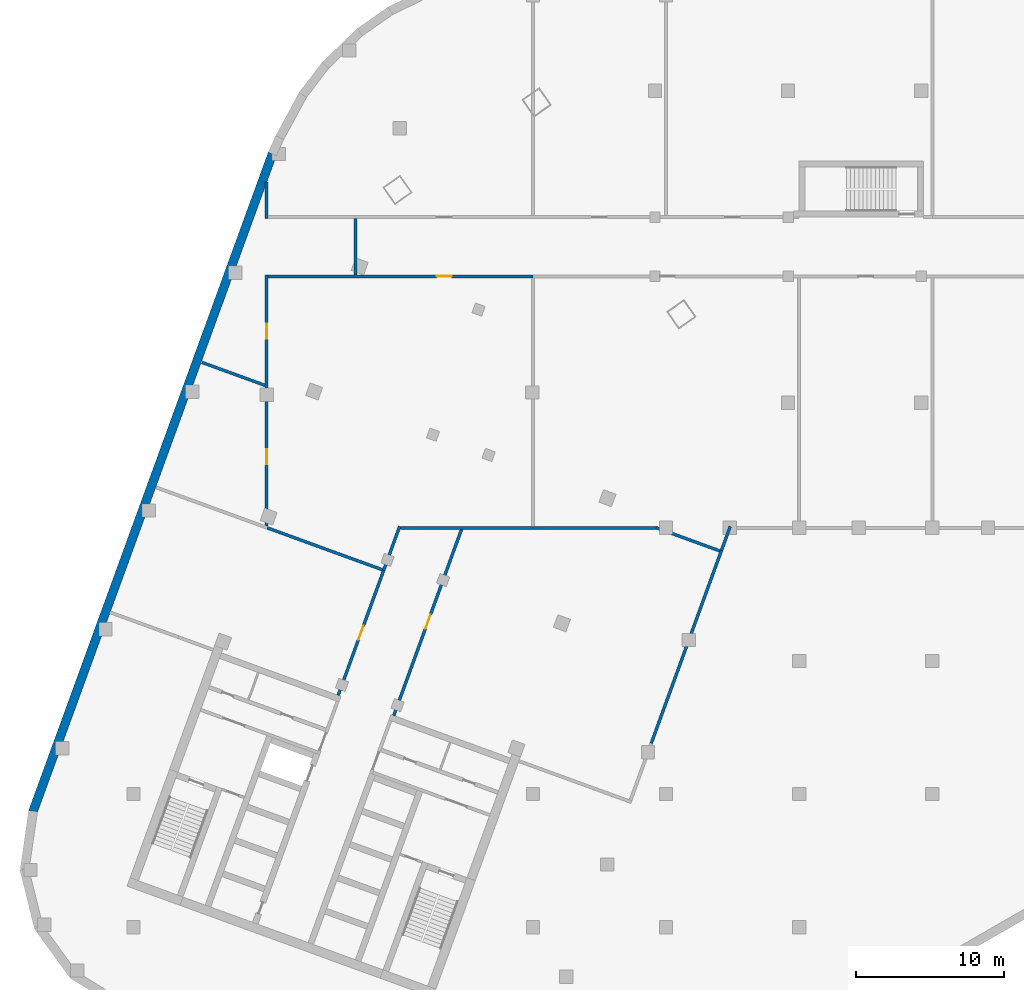
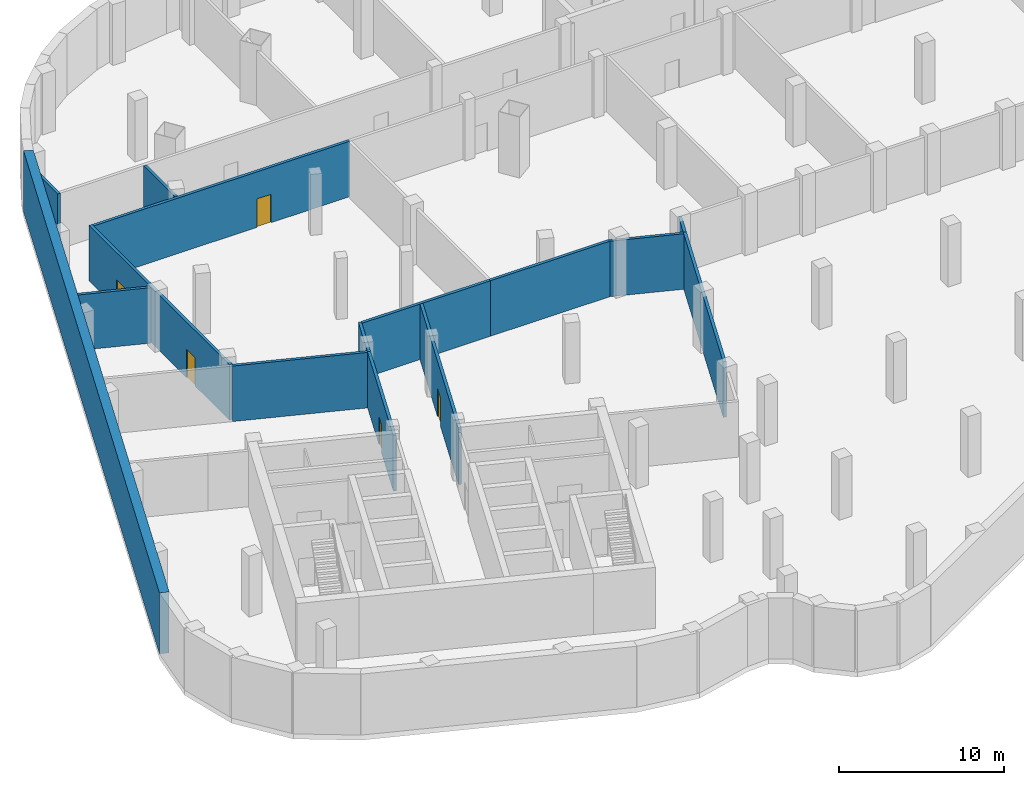
# One storey, part 4 of 16: 15 walls, 5 doors, 5 openings.
"""IFC4 building model written with IfcOpenShell, lengths in metres."""

import ifcopenshell
import ifcopenshell.guid

model = None  # the IFC model being written
_history = None  # IfcOwnerHistory: only IFC2X3 demands one
_inside = {}  # id of a spatial element -> (the spatial element, [elements in it])
_under = {}  # id of a project, library or spatial element -> (it, [spatial elements below it])
_declared = {}  # id of a project -> (the project, [libraries it declares])
_typed = {}  # id of a type object -> (the type object, [elements of that type])
_made_of = {}  # id of a material, layer set ... -> (it, [elements and type objects made of it])


def new_model(schema):
    """Start an empty IFC model of exactly this schema.

    Asked for "IFC4X3", IfcOpenShell would pick the latest addendum, in which some entities
    have other attributes; the version numbers below select the first issue.
    IFC2X3 requires an IfcOwnerHistory on every rooted entity: one is made here for all.
    """
    global model, _history
    if schema == "IFC4X3":
        model = ifcopenshell.file(schema_version=(4, 3, 0, 0))
    else:
        model = ifcopenshell.file(schema=schema)
    _inside.clear()
    _under.clear()
    _declared.clear()
    _typed.clear()
    _made_of.clear()
    _history = None
    if model.schema == "IFC2X3":
        org = make("IfcOrganization", Name="unknown")
        user = make(
            "IfcPersonAndOrganization",
            ThePerson=make("IfcPerson", FamilyName="unknown"),
            TheOrganization=org,
        )
        app = make(
            "IfcApplication",
            ApplicationDeveloper=org,
            Version="unknown",
            ApplicationFullName="unknown",
            ApplicationIdentifier="unknown",
        )
        _history = make(
            "IfcOwnerHistory",
            OwningUser=user,
            OwningApplication=app,
            ChangeAction="ADDED",
            CreationDate=0,
        )
    return model


def make(cls, **values):
    """One entity of the class cls with the attributes given. An attribute that is None is left unset."""
    return model.create_entity(
        cls, **{name: value for name, value in values.items() if value is not None}
    )


def rooted(cls, **values):
    """An entity with a GlobalId (a new one), such as an element, a storey or a relation."""
    return make(cls, GlobalId=ifcopenshell.guid.new(), OwnerHistory=_history, **values)


def si_unit(unit_type, name, prefix=None):
    """IfcSIUnit, for example si_unit("LENGTHUNIT", "METRE", prefix="MILLI")."""
    return make("IfcSIUnit", UnitType=unit_type, Prefix=prefix, Name=name)


def assignment(units):
    """IfcUnitAssignment: the units of a project."""
    return None if units is None else make("IfcUnitAssignment", Units=units)


def point(xyz):
    """IfcCartesianPoint."""
    return None if xyz is None else make("IfcCartesianPoint", Coordinates=xyz)


def direction(xyz):
    """IfcDirection."""
    return None if xyz is None else make("IfcDirection", DirectionRatios=xyz)


def frame(location, z_axis=None, x_axis=None):
    """IfcAxis2Placement3D, a coordinate frame: its origin and axes. An axis left out is left unset."""
    return make(
        "IfcAxis2Placement3D",
        Location=point(location),
        Axis=direction(z_axis),
        RefDirection=direction(x_axis),
    )


def frame_2d(location, x_axis=None):
    """IfcAxis2Placement2D, a coordinate frame in the plane: its origin and x axis."""
    return make(
        "IfcAxis2Placement2D", Location=point(location), RefDirection=direction(x_axis)
    )


def origin():
    """The frame at (0, 0, 0) with its axes left unset."""
    return frame((0.0, 0.0, 0.0))


def place(relative_to, where):
    """IfcLocalPlacement: puts the frame where relative to a parent placement (None: the world)."""
    return make(
        "IfcLocalPlacement", PlacementRelTo=relative_to, RelativePlacement=where
    )


def context(
    kind, dimensions, precision=None, world=None, true_north=None, identifier=None
):
    """IfcGeometricRepresentationContext, for example the 3D "Model" context."""
    return make(
        "IfcGeometricRepresentationContext",
        ContextIdentifier=identifier,
        ContextType=kind,
        CoordinateSpaceDimension=dimensions,
        Precision=precision,
        WorldCoordinateSystem=world,
        TrueNorth=true_north,
    )


def subcontext(parent, identifier, kind, view, scale=None):
    """IfcGeometricRepresentationSubContext, for example "Body" below "Model"."""
    return make(
        "IfcGeometricRepresentationSubContext",
        ContextIdentifier=identifier,
        ContextType=kind,
        ParentContext=parent,
        TargetScale=scale,
        TargetView=view,
    )


def project(units=None, contexts=None):
    """IfcProject with its units and contexts."""
    return rooted(
        "IfcProject",
        Name="project",
        RepresentationContexts=contexts,
        UnitsInContext=assignment(units),
    )


def spatial(cls, under=None, at=None, **own):
    """A site, building, storey or space (cls), placed at a placement, below another one or the project."""
    s = rooted(cls, ObjectPlacement=at, **own)
    if under is not None:
        _under.setdefault(under.id(), (under, []))[1].append(s)
    return s


def profile(cls, at=None, kind="AREA", **sizes):
    """A parametric profile (cls). Its sizes go by their IFC names, for example OverallWidth=200.0."""
    return make(cls, ProfileType=kind, Position=at, **sizes)


def rectangle(**sizes):
    """IfcRectangleProfileDef."""
    return profile("IfcRectangleProfileDef", **sizes)


def extrude(swept, where, along, depth):
    """IfcExtrudedAreaSolid: the profile swept, set in the frame where, extruded along a direction by depth."""
    return make(
        "IfcExtrudedAreaSolid",
        SweptArea=swept,
        Position=where,
        ExtrudedDirection=direction(along),
        Depth=depth,
    )


def shape(context_of_items, identifier, shape_type, items):
    """IfcShapeRepresentation: the items that make up one representation, for example the "Body"."""
    return make(
        "IfcShapeRepresentation",
        ContextOfItems=context_of_items,
        RepresentationIdentifier=identifier,
        RepresentationType=shape_type,
        Items=items,
    )


def material(Name=None, Category=None):
    """IfcMaterial."""
    return make("IfcMaterial", Name=Name, Category=Category)


def layer(
    of_material, thickness, ventilated=None, Name=None, Category=None, Priority=None
):
    """IfcMaterialLayer: one layer of a wall or slab, of a material (None: an air gap)."""
    return make(
        "IfcMaterialLayer",
        Material=of_material,
        LayerThickness=thickness,
        IsVentilated=ventilated,
        Name=Name,
        Category=Category,
        Priority=Priority,
    )


def layer_set(layers, Name=None):
    """IfcMaterialLayerSet."""
    return make("IfcMaterialLayerSet", MaterialLayers=layers, LayerSetName=Name)


def made_of(thing, what):
    """Note that an element or type object is made of a material, layer set ...; save() writes the relation."""
    if what is not None:
        _made_of.setdefault(what.id(), (what, []))[1].append(thing)
    return thing


def type_object(cls, material=None, **own):
    """A type object (cls), such as IfcWallType, which elements share."""
    return made_of(rooted(cls, **own), material)


def element(
    cls,
    number,
    at=None,
    inside=None,
    cuts=None,
    type_object=None,
    material=None,
    context=None,
    identifier="Body",
    shape_type=None,
    held_by="IfcProductDefinitionShape",
    body=None,
    shapes=None,
    **own,
):
    """One element of the class cls, such as IfcWall. Its Tag is "e" and its number.

    at: its placement. inside: the storey or other place that contains it. cuts: it is an
    opening in that element (IfcRelVoidsElement). A single representation is given by context,
    identifier, shape_type and body (its items); several are given by shapes. held_by: the class
    of the entity that holds the representations. save() writes the other relations.
    """
    e = rooted(cls, Tag="e%d" % number, ObjectPlacement=at, **own)
    if body is not None:
        shapes = [shape(context, identifier, shape_type, body)]
    if shapes is not None:
        e.Representation = make(held_by, Representations=shapes)
    if inside is not None:
        _inside.setdefault(inside.id(), (inside, []))[1].append(e)
    if cuts is not None:
        rooted(
            "IfcRelVoidsElement", RelatingBuildingElement=cuts, RelatedOpeningElement=e
        )
    if type_object is not None:
        _typed.setdefault(type_object.id(), (type_object, []))[1].append(e)
    return made_of(e, material)


def fill(opening, filler):
    """IfcRelFillsElement: the door or window that sits in an opening."""
    return rooted(
        "IfcRelFillsElement",
        RelatingOpeningElement=opening,
        RelatedBuildingElement=filler,
    )


def aggregate(whole, parts):
    """IfcRelAggregates: a whole, such as a stair, and the parts it consists of."""
    return rooted("IfcRelAggregates", RelatingObject=whole, RelatedObjects=parts)


def save(model, path):
    """Write the relations noted so far, then the file.

    IfcRelAggregates (storeys below a building ...), IfcRelContainedInSpatialStructure (elements
    in a storey), IfcRelDefinesByType, IfcRelAssociatesMaterial and IfcRelDeclares: one each for
    every whole, place, type object, material and project.
    """
    for whole, parts in _under.values():
        aggregate(whole, parts)
    for where, things in _inside.values():
        rooted(
            "IfcRelContainedInSpatialStructure",
            RelatedElements=things,
            RelatingStructure=where,
        )
    for kind, things in _typed.values():
        rooted("IfcRelDefinesByType", RelatedObjects=things, RelatingType=kind)
    for what, things in _made_of.values():
        rooted("IfcRelAssociatesMaterial", RelatedObjects=things, RelatingMaterial=what)
    for by, libraries in _declared.values():
        rooted("IfcRelDeclares", RelatingContext=by, RelatedDefinitions=libraries)
    model.write(path)


model = new_model("IFC4")

# Units and contexts
model_context = context("Model", 3, precision=1e-05, world=origin(), true_north=direction((0.0, 1.0)))
body_context = subcontext(model_context, "Body", "Model", "MODEL_VIEW")
ifc_project = project(units=[si_unit("LENGTHUNIT", "METRE"), si_unit("AREAUNIT", "SQUARE_METRE"), si_unit("VOLUMEUNIT", "CUBIC_METRE"), si_unit("PLANEANGLEUNIT", "RADIAN"), si_unit("MASSUNIT", "GRAM", prefix="KILO")], contexts=[model_context])

# Site, building, storey
site_placement = place(None, origin())
site = spatial("IfcSite", under=ifc_project, at=site_placement, CompositionType="ELEMENT")
building_placement = place(site_placement, origin())
building = spatial("IfcBuilding", under=site, at=building_placement, Name="Skarvind Civic Tower", CompositionType="ELEMENT")
storey_placement = place(building_placement, frame((0.0, 0.0, -4.5)))
storey = spatial("IfcBuildingStorey", under=building, at=storey_placement, Name="B1", CompositionType="ELEMENT", Elevation=-4.5)

# Wall
ifc_material_1 = material(Name="Concrete C40", Category="concrete")
ifc_layer_1 = layer(ifc_material_1, 0.60009765625)
ifc_layer_set_1 = layer_set([ifc_layer_1], Name="Basement retaining wall 600 C40")
wall_type_1 = type_object("IfcWallType", Name="Basement retaining wall 600 C40", PredefinedType="SHEAR", material=ifc_layer_set_1)
wall_1_placement = place(storey_placement, frame((12.199462890625, 89.80908203125, 0.0), z_axis=(0.0, 0.0, 1.0), x_axis=(0.342018444468, 0.939693239118, 0.0)))
element("IfcWall", 1, at=wall_1_placement, inside=storey, type_object=wall_type_1, Name="Basement retaining wall B1 14", PredefinedType="SHEAR", context=body_context, shape_type="SweptSolid", body=[
    extrude(rectangle(XDim=47.334228515625, YDim=0.60009765625, at=frame_2d((23.6669921875, 0.0))), origin(), (0.0, 0.0, 1.0), 4.5),
])

# Wall, openings, doors
ifc_material_2 = material(Name="Fire-rated blockwork wall, plastered", Category="masonry")
ifc_layer_2 = layer(ifc_material_2, 0.199951171875)
ifc_layer_set_2 = layer_set([ifc_layer_2], Name="FIRE WALL 200 EI 120")
wall_type_2 = type_object("IfcWallType", Name="FIRE WALL 200 EI 120", PredefinedType="PARTITIONING", material=ifc_layer_set_2)
wall_2_placement = place(storey_placement, frame((28.0, 126.10009765625, 0.0), z_axis=(0.0, 0.0, 1.0), x_axis=(0.0, -1.0, 0.0)))
wall_2 = element("IfcWall", 2, at=wall_2_placement, inside=storey, type_object=wall_type_2, Name="Basement partition B1 005", PredefinedType="PARTITIONING", context=body_context, shape_type="SweptSolid", body=[
    extrude(rectangle(XDim=16.983154296875, YDim=0.199951171875, at=frame_2d((8.49169921875, 0.0))), origin(), (0.0, 0.0, 1.0), 4.10009765625),
])
opening_1_placement = place(wall_2_placement, frame((11.800048828125, 0.0, 0.0)))
opening_1 = element("IfcOpeningElement", 3, at=opening_1_placement, cuts=wall_2, Name="Opening B1-D201", PredefinedType="OPENING", context=body_context, shape_type="SweptSolid", body=[
    extrude(rectangle(XDim=1.0, YDim=2.10009765625, at=frame_2d((0.5, 1.050048828125))), frame((0.0, 0.10986328125, 0.0), z_axis=(0.0, -1.0, 0.0), x_axis=(1.0, 0.0, 0.0)), (0.0, 0.0, 1.0), 0.219970703125),
])
opening_2_placement = place(wall_2_placement, frame((3.306884765625, 0.0, 0.0)))
opening_2 = element("IfcOpeningElement", 4, at=opening_2_placement, cuts=wall_2, Name="Opening B1-D202", PredefinedType="OPENING", context=body_context, shape_type="SweptSolid", body=[
    extrude(rectangle(XDim=1.0, YDim=2.10009765625, at=frame_2d((0.5, 1.050048828125))), frame((0.0, 0.10986328125, 0.0), z_axis=(0.0, -1.0, 0.0), x_axis=(1.0, 0.0, 0.0)), (0.0, 0.0, 1.0), 0.219970703125),
])
ifc_material_3 = material(Name="Painted steel fire door leaf", Category="steel")
door_type = type_object("IfcDoorType", Name="FIRE DOOR 1000X2100 STEEL", OperationType="NOTDEFINED", PredefinedType="DOOR", material=ifc_material_3)
door_1_placement = place(opening_1_placement, origin())
door_1 = element("IfcDoor", 5, at=door_1_placement, inside=storey, type_object=door_type, Name="FIRE DOOR", OperationType="SINGLE_SWING_LEFT", OverallHeight=2.10009765625, OverallWidth=1.0, PredefinedType="DOOR", context=body_context, shape_type="SweptSolid", body=[
    extrude(rectangle(XDim=1.0, YDim=2.10009765625, at=frame_2d((0.5, 1.050048828125))), frame((0.0, 0.02490234375, 0.0), z_axis=(0.0, -1.0, 0.0), x_axis=(1.0, 0.0, 0.0)), (0.0, 0.0, 1.0), 0.050048828125),
])
fill(opening_1, door_1)
door_2_placement = place(opening_2_placement, origin())
door_2 = element("IfcDoor", 6, at=door_2_placement, inside=storey, type_object=door_type, Name="FIRE DOOR", OperationType="SINGLE_SWING_RIGHT", OverallHeight=2.10009765625, OverallWidth=1.0, PredefinedType="DOOR", context=body_context, shape_type="SweptSolid", body=[
    extrude(rectangle(XDim=1.0, YDim=2.10009765625, at=frame_2d((0.5, 1.050048828125))), frame((0.0, 0.02490234375, 0.0), z_axis=(0.0, -1.0, 0.0), x_axis=(1.0, 0.0, 0.0)), (0.0, 0.0, 1.0), 0.050048828125),
])
fill(opening_2, door_2)

# Wall, opening, door
wall_3_placement = place(storey_placement, frame((46.0, 126.0, 0.0), z_axis=(0.0, 0.0, 1.0), x_axis=(-1.0, 0.0, 0.0)))
wall_3 = element("IfcWall", 7, at=wall_3_placement, inside=storey, type_object=wall_type_2, Name="Basement partition B1 006", PredefinedType="PARTITIONING", context=body_context, shape_type="SweptSolid", body=[
    extrude(rectangle(XDim=17.89990234375, YDim=0.199951171875, at=frame_2d((8.949951171875, 0.0))), origin(), (0.0, 0.0, 1.0), 4.10009765625),
])
opening_3_placement = place(wall_3_placement, frame((5.498046875, 0.0, 0.0)))
opening_3 = element("IfcOpeningElement", 8, at=opening_3_placement, cuts=wall_3, Name="Opening B1-D205", PredefinedType="OPENING", context=body_context, shape_type="SweptSolid", body=[
    extrude(rectangle(XDim=1.0, YDim=2.10009765625, at=frame_2d((0.5, 1.050048828125))), frame((0.0, 0.10986328125, 0.0), z_axis=(0.0, -1.0, 0.0), x_axis=(1.0, 0.0, 0.0)), (0.0, 0.0, 1.0), 0.219970703125),
])
door_3_placement = place(opening_3_placement, origin())
door_3 = element("IfcDoor", 9, at=door_3_placement, inside=storey, type_object=door_type, Name="FIRE DOOR", OperationType="SINGLE_SWING_RIGHT", OverallHeight=2.10009765625, OverallWidth=1.0, PredefinedType="DOOR", context=body_context, shape_type="SweptSolid", body=[
    extrude(rectangle(XDim=1.0, YDim=2.10009765625, at=frame_2d((0.5, 1.050048828125))), frame((0.0, 0.02490234375, 0.0), z_axis=(0.0, -1.0, 0.0), x_axis=(1.0, 0.0, 0.0)), (0.0, 0.0, 1.0), 0.050048828125),
])
fill(opening_3, door_3)

# Walls
wall_4_placement = place(storey_placement, frame((28.031005859375, 109.0, 0.0), z_axis=(0.0, 0.0, 1.0), x_axis=(0.939666055337, -0.342093122479, 0.0)))
element("IfcWall", 10, at=wall_4_placement, inside=storey, type_object=wall_type_2, Name="Basement partition B1 009", PredefinedType="PARTITIONING", context=body_context, shape_type="SweptSolid", body=[
    extrude(rectangle(XDim=8.287109375, YDim=0.199951171875, at=frame_2d((4.1435546875, 0.0))), origin(), (0.0, 0.0, 1.0), 4.10009765625),
])
wall_5_placement = place(storey_placement, frame((35.910888671875, 106.126953125, 0.0), z_axis=(0.0, 0.0, 1.0), x_axis=(0.341792733582, 0.939775360004, 0.0)))
element("IfcWall", 11, at=wall_5_placement, inside=storey, type_object=wall_type_2, Name="Basement partition B1 012", PredefinedType="PARTITIONING", context=body_context, shape_type="SweptSolid", body=[
    extrude(rectangle(XDim=3.1572265625, YDim=0.199951171875, at=frame_2d((1.57861328125, 0.0))), origin(), (0.0, 0.0, 1.0), 4.10009765625),
])
wall_6_placement = place(storey_placement, frame((37.06201171875, 109.0, 0.0), z_axis=(0.0, 0.0, 1.0), x_axis=(1.0, 0.0, 0.0)))
element("IfcWall", 12, at=wall_6_placement, inside=storey, type_object=wall_type_2, Name="Basement partition B1 014", PredefinedType="PARTITIONING", context=body_context, shape_type="SweptSolid", body=[
    extrude(rectangle(XDim=8.93798828125, YDim=0.199951171875, at=frame_2d((4.468994140625, 0.0))), origin(), (0.0, 0.0, 1.0), 4.10009765625),
])
ifc_layer_3 = layer(ifc_material_2, 0.199951171875)
ifc_layer_set_3 = layer_set([ifc_layer_3], Name="FIRE WALL 200 EI 60")
wall_type_3 = type_object("IfcWallType", Name="FIRE WALL 200 EI 60", PredefinedType="PARTITIONING", material=ifc_layer_set_3)
wall_7_placement = place(storey_placement, frame((23.6259765625, 120.180908203125, 0.0), z_axis=(0.0, 0.0, 1.0), x_axis=(0.939669552092, -0.342083517393, 0.0)))
element("IfcWall", 13, at=wall_7_placement, inside=storey, type_object=wall_type_3, Name="Basement partition B1 004", PredefinedType="PARTITIONING", context=body_context, shape_type="SweptSolid", body=[
    extrude(rectangle(XDim=4.54833984375, YDim=0.199951171875, at=frame_2d((2.274169921875, 0.0))), origin(), (0.0, 0.0, 1.0), 4.10009765625),
])
wall_8_placement = place(storey_placement, frame((28.0, 129.89990234375, 0.0), z_axis=(0.0, 0.0, 1.0), x_axis=(0.0, 1.0, 0.0)))
element("IfcWall", 14, at=wall_8_placement, inside=storey, type_object=wall_type_3, Name="Basement partition B1 007", PredefinedType="PARTITIONING", context=body_context, shape_type="SweptSolid", body=[
    extrude(rectangle(XDim=2.463134765625, YDim=0.199951171875, at=frame_2d((1.2314453125, 0.0))), origin(), (0.0, 0.0, 1.0), 4.10009765625),
])

# Wall, opening, door
wall_9_placement = place(storey_placement, frame((32.833984375, 97.674072265625, 0.0), z_axis=(0.0, 0.0, 1.0), x_axis=(0.3420218461, 0.939692001025, 0.0)))
wall_9 = element("IfcWall", 15, at=wall_9_placement, inside=storey, type_object=wall_type_3, Name="Basement partition B1 010", PredefinedType="PARTITIONING", context=body_context, shape_type="SweptSolid", body=[
    extrude(rectangle(XDim=8.999755859375, YDim=0.199951171875, at=frame_2d((4.5, 0.0))), origin(), (0.0, 0.0, 1.0), 4.10009765625),
])
opening_4_placement = place(wall_9_placement, frame((4.001953125, 0.0, 0.0)))
opening_4 = element("IfcOpeningElement", 16, at=opening_4_placement, cuts=wall_9, Name="Opening B1-D203", PredefinedType="OPENING", context=body_context, shape_type="SweptSolid", body=[
    extrude(rectangle(XDim=1.0, YDim=2.10009765625, at=frame_2d((0.5, 1.050048828125))), frame((0.0, 0.10986328125, 0.0), z_axis=(0.0, -1.0, 0.0), x_axis=(1.0, 0.0, 0.0)), (0.0, 0.0, 1.0), 0.219970703125),
])
door_4_placement = place(opening_4_placement, origin())
door_4 = element("IfcDoor", 17, at=door_4_placement, inside=storey, type_object=door_type, Name="FIRE DOOR", OperationType="SINGLE_SWING_RIGHT", OverallHeight=2.10009765625, OverallWidth=1.0, PredefinedType="DOOR", context=body_context, shape_type="SweptSolid", body=[
    extrude(rectangle(XDim=1.0, YDim=2.10009765625, at=frame_2d((0.5, 1.050048828125))), frame((0.0, 0.02490234375, 0.0), z_axis=(0.0, -1.0, 0.0), x_axis=(1.0, 0.0, 0.0)), (0.0, 0.0, 1.0), 0.050048828125),
])
fill(opening_4, door_4)

# Wall
wall_10_placement = place(storey_placement, frame((34.0, 126.10009765625, 0.0), z_axis=(0.0, 0.0, 1.0), x_axis=(0.0, 1.0, 0.0)))
element("IfcWall", 18, at=wall_10_placement, inside=storey, type_object=wall_type_3, Name="Basement partition B1 011", PredefinedType="PARTITIONING", context=body_context, shape_type="SweptSolid", body=[
    extrude(rectangle(XDim=3.7998046875, YDim=0.199951171875, at=frame_2d((1.89990234375, 0.0))), origin(), (0.0, 0.0, 1.0), 4.10009765625),
])

# Wall, opening, door
wall_11_placement = place(storey_placement, frame((41.177001953125, 108.89990234375, 0.0), z_axis=(0.0, 0.0, 1.0), x_axis=(-0.342029721619, -0.939689134517, 0.0)))
wall_11 = element("IfcWall", 19, at=wall_11_placement, inside=storey, type_object=wall_type_3, Name="Basement partition B1 013", PredefinedType="PARTITIONING", context=body_context, shape_type="SweptSolid", body=[
    extrude(rectangle(XDim=13.40234375, YDim=0.199951171875, at=frame_2d((6.701171875, 0.0))), origin(), (0.0, 0.0, 1.0), 4.10009765625),
])
opening_5_placement = place(wall_11_placement, frame((6.14794921875, 0.0, 0.0)))
opening_5 = element("IfcOpeningElement", 20, at=opening_5_placement, cuts=wall_11, Name="Opening B1-D204", PredefinedType="OPENING", context=body_context, shape_type="SweptSolid", body=[
    extrude(rectangle(XDim=1.0, YDim=2.10009765625, at=frame_2d((0.5, 1.050048828125))), frame((0.0, 0.10986328125, 0.0), z_axis=(0.0, -1.0, 0.0), x_axis=(1.0, 0.0, 0.0)), (0.0, 0.0, 1.0), 0.219970703125),
])
door_5_placement = place(opening_5_placement, origin())
door_5 = element("IfcDoor", 21, at=door_5_placement, inside=storey, type_object=door_type, Name="FIRE DOOR", OperationType="SINGLE_SWING_LEFT", OverallHeight=2.10009765625, OverallWidth=1.0, PredefinedType="DOOR", context=body_context, shape_type="SweptSolid", body=[
    extrude(rectangle(XDim=1.0, YDim=2.10009765625, at=frame_2d((0.5, 1.050048828125))), frame((0.0, 0.02490234375, 0.0), z_axis=(0.0, -1.0, 0.0), x_axis=(1.0, 0.0, 0.0)), (0.0, 0.0, 1.0), 0.050048828125),
])
fill(opening_5, door_5)

# Walls
wall_12_placement = place(storey_placement, frame((46.0, 109.0, 0.0), z_axis=(0.0, 0.0, 1.0), x_axis=(1.0, 0.0, 0.0)))
element("IfcWall", 22, at=wall_12_placement, inside=storey, type_object=wall_type_3, Name="Basement partition B1 017", PredefinedType="PARTITIONING", context=body_context, shape_type="SweptSolid", body=[
    extrude(rectangle(XDim=8.363037109375, YDim=0.199951171875, at=frame_2d((4.181640625, 0.0))), origin(), (0.0, 0.0, 1.0), 4.10009765625),
])
wall_13_placement = place(storey_placement, frame((54.0, 94.428955078125, 0.0), z_axis=(0.0, 0.0, 1.0), x_axis=(0.342057301943, 0.939679095323, 0.0)))
element("IfcWall", 23, at=wall_13_placement, inside=storey, type_object=wall_type_3, Name="Basement partition B1 021", PredefinedType="PARTITIONING", context=body_context, shape_type="SweptSolid", body=[
    extrude(rectangle(XDim=13.91015625, YDim=0.199951171875, at=frame_2d((6.955078125, 0.0))), origin(), (0.0, 0.0, 1.0), 4.10009765625),
])
wall_14_placement = place(storey_placement, frame((54.327880859375, 109.006103515625, 0.0), z_axis=(0.0, 0.0, 1.0), x_axis=(0.939667244136, -0.342089857053, 0.0)))
element("IfcWall", 24, at=wall_14_placement, inside=storey, type_object=wall_type_3, Name="Basement partition B1 022", PredefinedType="PARTITIONING", context=body_context, shape_type="SweptSolid", body=[
    extrude(rectangle(XDim=4.578125, YDim=0.199951171875, at=frame_2d((2.2890625, 0.0))), origin(), (0.0, 0.0, 1.0), 4.10009765625),
])
wall_15_placement = place(storey_placement, frame((58.7509765625, 107.48095703125, 0.0), z_axis=(0.0, 0.0, 1.0), x_axis=(0.341925778056, 0.93972696157, 0.0)))
element("IfcWall", 25, at=wall_15_placement, inside=storey, type_object=wall_type_3, Name="Basement partition B1 024", PredefinedType="PARTITIONING", context=body_context, shape_type="SweptSolid", body=[
    extrude(rectangle(XDim=1.716552734375, YDim=0.199951171875, at=frame_2d((0.8583984375, 0.0))), origin(), (0.0, 0.0, 1.0), 4.10009765625),
])

save(model, "model.ifc")
